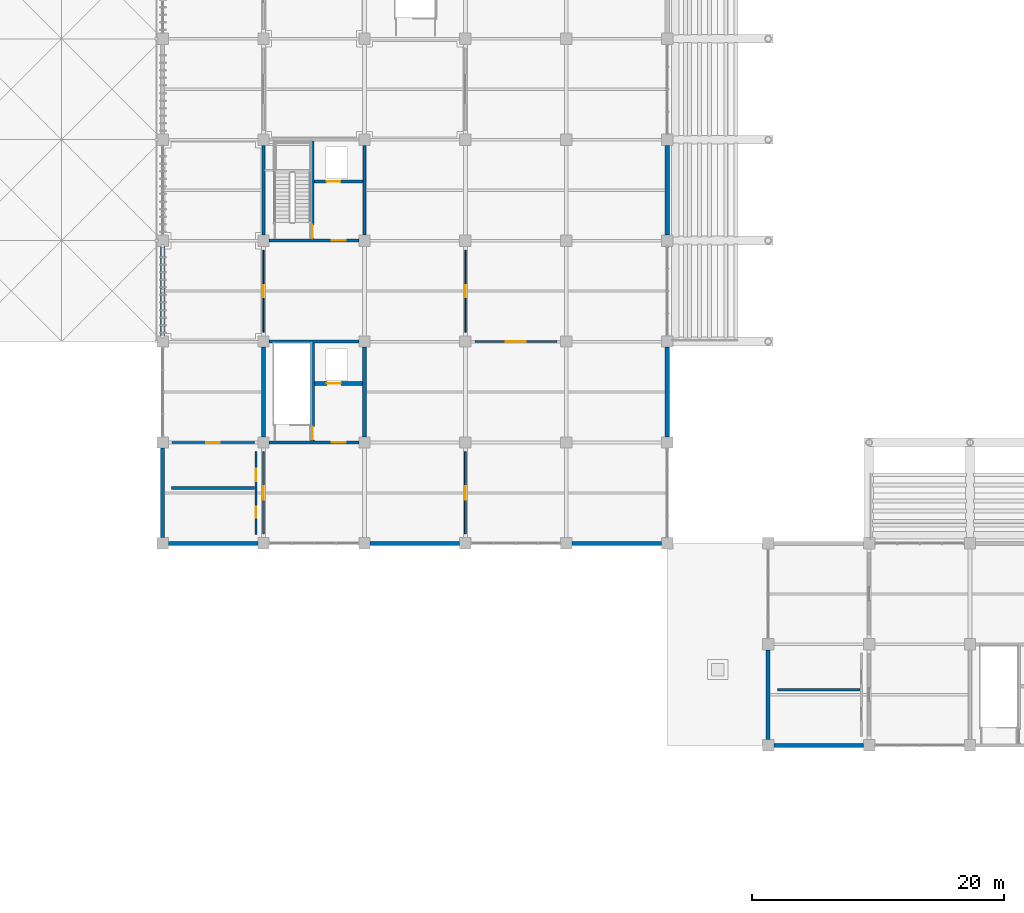
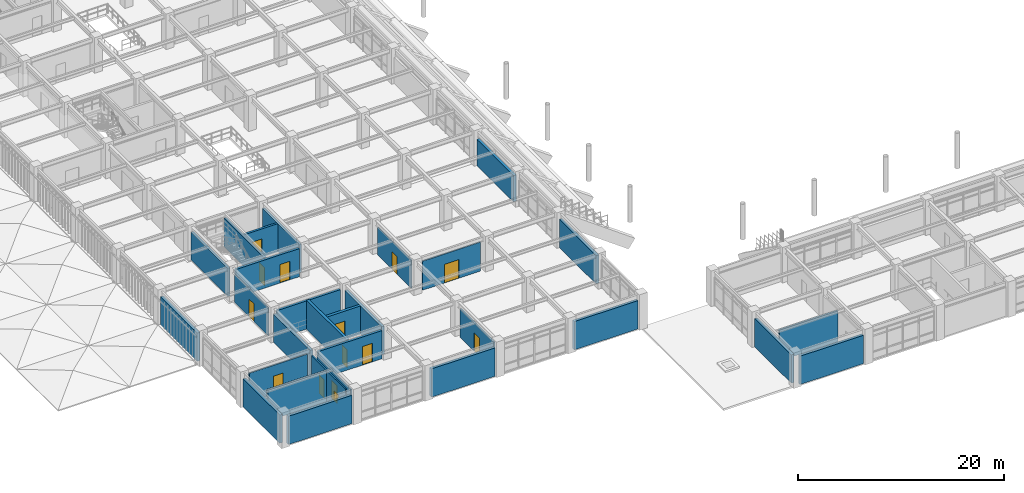
# One storey, part 86 of 118: 29 walls, 14 doors, 14 openings.
"""IFC4 building model written with IfcOpenShell, lengths in metres."""

from ifc_helpers import new_model, si_unit, direction, frame, frame_2d, origin, place, context, subcontext, project, spatial, rectangle, extrude, material, layer, layer_set, type_object, element, fill, save


model = new_model("IFC4")

# Units and contexts
model_context = context("Model", 3, precision=1e-05, world=origin(), true_north=direction((0.0, 1.0)))
body_context = subcontext(model_context, "Body", "Model", "MODEL_VIEW")
ifc_project = project(units=[si_unit("LENGTHUNIT", "METRE"), si_unit("AREAUNIT", "SQUARE_METRE"), si_unit("VOLUMEUNIT", "CUBIC_METRE"), si_unit("PLANEANGLEUNIT", "RADIAN"), si_unit("MASSUNIT", "GRAM", prefix="KILO")], contexts=[model_context])

# Site, building, storey
site_placement = place(None, origin())
site = spatial("IfcSite", under=ifc_project, at=site_placement, CompositionType="ELEMENT")
building_placement = place(site_placement, origin())
building = spatial("IfcBuilding", under=site, at=building_placement, Name="Haebicheon Civic Stadium", CompositionType="ELEMENT")
storey_placement = place(building_placement, frame((0.0, 0.0, 14.39990234375)))
storey = spatial("IfcBuildingStorey", under=building, at=storey_placement, Name="L04", CompositionType="ELEMENT", Elevation=14.39990234375)

# Wall, opening, door
ifc_material_1 = material(Name="Concrete C40/50", Category="concrete")
ifc_layer_1 = layer(ifc_material_1, 0.239990234375, Name="Concrete C40/50")
ifc_layer_set_1 = layer_set([ifc_layer_1], Name="Concrete C40/50")
wall_type_1 = type_object("IfcWallType", Name="CW-SHR-240", PredefinedType="SHEAR", material=ifc_layer_set_1)
wall_1_placement = place(storey_placement, frame((32.449951171875, 40.0, 0.0), z_axis=(0.0, 0.0, 1.0), x_axis=(1.0, 0.0, 0.0)))
wall_1 = element("IfcWall", 1, at=wall_1_placement, inside=storey, type_object=wall_type_1, material=ifc_layer_set_1, Name="KC-01 L04 south core shear wall", PredefinedType="SHEAR", context=body_context, shape_type="SweptSolid", body=[
    extrude(rectangle(XDim=7.10009765625, YDim=0.239990234375, at=frame_2d((3.550048828125, 0.0))), origin(), (0.0, 0.0, 1.0), 3.330078125),
])
opening_1_placement = place(wall_1_placement, frame((4.949951171875, 0.0, 0.0)))
opening_1 = element("IfcOpeningElement", 2, at=opening_1_placement, cuts=wall_1, Name="Opening D-L04-KC-01-LOB", PredefinedType="OPENING", context=body_context, shape_type="SweptSolid", body=[
    extrude(rectangle(XDim=1.10009765625, YDim=2.199951171875, at=frame_2d((0.550048828125, 1.10009765625))), frame((0.0, 0.1298828125, 0.0), z_axis=(0.0, -1.0, 0.0), x_axis=(1.0, 0.0, 0.0)), (0.0, 0.0, 1.0), 0.260009765625),
])
ifc_material_2 = material(Name="Galvanised painted steel SM355", Category="steel")
door_type_1 = type_object("IfcDoorType", Name="ID-FD-1100", OperationType="NOTDEFINED", PredefinedType="DOOR", material=ifc_material_2)
door_1_placement = place(opening_1_placement, origin())
door_1 = element("IfcDoor", 3, at=door_1_placement, inside=storey, type_object=door_type_1, material=ifc_material_2, Name="L04 KC-01 lobby fire door", OperationType="SINGLE_SWING_LEFT", OverallHeight=2.199951171875, OverallWidth=1.10009765625, PredefinedType="DOOR", context=body_context, shape_type="SweptSolid", body=[
    extrude(rectangle(XDim=1.10009765625, YDim=2.199951171875, at=frame_2d((0.550048828125, 1.10009765625))), frame((0.0, 0.02490234375, 0.0), z_axis=(0.0, -1.0, 0.0), x_axis=(1.0, 0.0, 0.0)), (0.0, 0.0, 1.0), 0.050048828125),
])
fill(opening_1, door_1)

# Wall
wall_2_placement = place(storey_placement, frame((32.449951171875, 48.0, 0.0), z_axis=(0.0, 0.0, 1.0), x_axis=(1.0, 0.0, 0.0)))
element("IfcWall", 4, at=wall_2_placement, inside=storey, type_object=wall_type_1, material=ifc_layer_set_1, Name="KC-01 L04 north core shear wall", PredefinedType="SHEAR", context=body_context, shape_type="SweptSolid", body=[
    extrude(rectangle(XDim=7.10009765625, YDim=0.239990234375, at=frame_2d((3.550048828125, 0.0))), origin(), (0.0, 0.0, 1.0), 3.330078125),
])

# Wall, opening, door
wall_3_placement = place(storey_placement, frame((32.449951171875, 56.0, 0.0), z_axis=(0.0, 0.0, 1.0), x_axis=(1.0, 0.0, 0.0)))
wall_3 = element("IfcWall", 5, at=wall_3_placement, inside=storey, type_object=wall_type_1, material=ifc_layer_set_1, Name="KC-02 L04 south core shear wall", PredefinedType="SHEAR", context=body_context, shape_type="SweptSolid", body=[
    extrude(rectangle(XDim=7.10009765625, YDim=0.239990234375, at=frame_2d((3.550048828125, 0.0))), origin(), (0.0, 0.0, 1.0), 3.330078125),
])
opening_2_placement = place(wall_3_placement, frame((4.949951171875, 0.0, 0.0)))
opening_2 = element("IfcOpeningElement", 6, at=opening_2_placement, cuts=wall_3, Name="Opening D-L04-KC-02-LOB", PredefinedType="OPENING", context=body_context, shape_type="SweptSolid", body=[
    extrude(rectangle(XDim=1.10009765625, YDim=2.199951171875, at=frame_2d((0.550048828125, 1.10009765625))), frame((0.0, 0.1298828125, 0.0), z_axis=(0.0, -1.0, 0.0), x_axis=(1.0, 0.0, 0.0)), (0.0, 0.0, 1.0), 0.260009765625),
])
door_2_placement = place(opening_2_placement, origin())
door_2 = element("IfcDoor", 7, at=door_2_placement, inside=storey, type_object=door_type_1, material=ifc_material_2, Name="L04 KC-02 lobby fire door", OperationType="SINGLE_SWING_RIGHT", OverallHeight=2.199951171875, OverallWidth=1.10009765625, PredefinedType="DOOR", context=body_context, shape_type="SweptSolid", body=[
    extrude(rectangle(XDim=1.10009765625, YDim=2.199951171875, at=frame_2d((0.550048828125, 1.10009765625))), frame((0.0, 0.02490234375, 0.0), z_axis=(0.0, -1.0, 0.0), x_axis=(1.0, 0.0, 0.0)), (0.0, 0.0, 1.0), 0.050048828125),
])
fill(opening_2, door_2)

# Walls
for number, where, z_axis, x_axis, name in (
    (8, (32.0, 56.449951171875, 0.0), (0.0, 0.0, 1.0), (0.0, 1.0, 0.0), "KC-02 L04 west core shear wall"),
    (9, (40.0, 56.449951171875, 0.0), (0.0, 0.0, 1.0), (0.0, 1.0, 0.0), "KC-02 L04 east core shear wall"),
):
    element("IfcWall", number, at=place(storey_placement, frame(where, z_axis=z_axis, x_axis=x_axis)), inside=storey, type_object=wall_type_1, material=ifc_layer_set_1, Name=name, PredefinedType="SHEAR", context=body_context, shape_type="SweptSolid", body=[
        extrude(rectangle(XDim=7.10009765625, YDim=0.239990234375, at=frame_2d((3.550048828125, 0.0))), origin(), (0.0, 0.0, 1.0), 3.330078125),
    ])

# Wall, opening, door
wall_4_placement = place(storey_placement, frame((35.8798828125, 56.1201171875, 0.0), z_axis=(0.0, 0.0, 1.0), x_axis=(0.0, 1.0, 0.0)))
wall_4 = element("IfcWall", 10, at=wall_4_placement, inside=storey, type_object=wall_type_1, material=ifc_layer_set_1, Name="KC-02 L04 stair-lobby dividing shear wall", PredefinedType="SHEAR", context=body_context, shape_type="SweptSolid", body=[
    extrude(rectangle(XDim=7.759765625, YDim=0.239990234375, at=frame_2d((3.8798828125, 0.0))), origin(), (0.0, 0.0, 1.0), 3.43017578125),
])
opening_3_placement = place(wall_4_placement, frame((0.080078125, 0.0, 0.0)))
opening_3 = element("IfcOpeningElement", 11, at=opening_3_placement, cuts=wall_4, Name="Opening D-L04-KC-02-STR", PredefinedType="OPENING", context=body_context, shape_type="SweptSolid", body=[
    extrude(rectangle(XDim=1.050048828125, YDim=2.14990234375, at=frame_2d((0.52490234375, 1.074951171875))), frame((0.0, 0.1298828125, 0.0), z_axis=(0.0, -1.0, 0.0), x_axis=(1.0, 0.0, 0.0)), (0.0, 0.0, 1.0), 0.260009765625),
])
ifc_material_3 = material(Name="Galvanised painted steel SM355", Category="steel")
door_type_2 = type_object("IfcDoorType", Name="ID-FD-1050", OperationType="NOTDEFINED", PredefinedType="DOOR", material=ifc_material_3)
door_3_placement = place(opening_3_placement, origin())
door_3 = element("IfcDoor", 12, at=door_3_placement, inside=storey, type_object=door_type_2, material=ifc_material_3, Name="L04 ST-02 stairwell escape door", OperationType="SINGLE_SWING_LEFT", OverallHeight=2.14990234375, OverallWidth=1.050048828125, PredefinedType="DOOR", context=body_context, shape_type="SweptSolid", body=[
    extrude(rectangle(XDim=1.050048828125, YDim=2.14990234375, at=frame_2d((0.52490234375, 1.074951171875))), frame((0.0, 0.02490234375, 0.0), z_axis=(0.0, -1.0, 0.0), x_axis=(1.0, 0.0, 0.0)), (0.0, 0.0, 1.0), 0.050048828125),
])
fill(opening_3, door_3)

wall_5_placement = place(storey_placement, frame((36.0, 60.679931640625, 0.0), z_axis=(0.0, 0.0, 1.0), x_axis=(1.0, 0.0, 0.0)))
wall_5 = element("IfcWall", 13, at=wall_5_placement, inside=storey, type_object=wall_type_1, material=ifc_layer_set_1, Name="KC-02 L04 lift shaft front wall", PredefinedType="SHEAR", context=body_context, shape_type="SweptSolid", body=[
    extrude(rectangle(XDim=3.8798828125, YDim=0.239990234375, at=frame_2d((1.93994140625, 0.0))), origin(), (0.0, 0.0, 1.0), 3.330078125),
])
opening_4_placement = place(wall_5_placement, frame((1.0, 0.0, 0.0)))
opening_4 = element("IfcOpeningElement", 14, at=opening_4_placement, cuts=wall_5, Name="Opening LD-02-L04", PredefinedType="OPENING", context=body_context, shape_type="SweptSolid", body=[
    extrude(rectangle(XDim=1.10009765625, YDim=2.14990234375, at=frame_2d((0.550048828125, 1.074951171875))), frame((0.0, 0.1298828125, 0.0), z_axis=(0.0, -1.0, 0.0), x_axis=(1.0, 0.0, 0.0)), (0.0, 0.0, 1.0), 0.260009765625),
])
ifc_material_4 = material(Name="Stainless steel 316", Category="steel")
door_type_3 = type_object("IfcDoorType", Name="ID-LD-1100", OperationType="NOTDEFINED", PredefinedType="DOOR", material=ifc_material_4)
door_4_placement = place(opening_4_placement, origin())
door_4 = element("IfcDoor", 15, at=door_4_placement, inside=storey, type_object=door_type_3, material=ifc_material_4, Name="LF-02 lift landing sliding door L04", OperationType="SLIDING_TO_LEFT", OverallHeight=2.14990234375, OverallWidth=1.10009765625, PredefinedType="DOOR", context=body_context, shape_type="SweptSolid", body=[
    extrude(rectangle(XDim=1.10009765625, YDim=2.14990234375, at=frame_2d((0.550048828125, 1.074951171875))), frame((0.0, 0.02490234375, 0.0), z_axis=(0.0, -1.0, 0.0), x_axis=(1.0, 0.0, 0.0)), (0.0, 0.0, 1.0), 0.050048828125),
])
fill(opening_4, door_4)

# Walls
ifc_material_5 = material(Name="Concrete C40/50", Category="concrete")
ifc_layer_2 = layer(ifc_material_5, 0.300048828125, Name="Concrete C40/50")
ifc_layer_set_2 = layer_set([ifc_layer_2], Name="Concrete C40/50")
wall_type_2 = type_object("IfcWallType", Name="CW-SHR-300", PredefinedType="SHEAR", material=ifc_layer_set_2)
for number, where, z_axis, x_axis, name in (
    (16, (32.0, 40.449951171875, 0.0), (0.0, 0.0, 1.0), (0.0, 1.0, 0.0), "KC-01 L04 west core shear wall"),
    (17, (40.0, 40.449951171875, 0.0), (0.0, 0.0, 1.0), (0.0, 1.0, 0.0), "KC-01 L04 east core shear wall"),
):
    element("IfcWall", number, at=place(storey_placement, frame(where, z_axis=z_axis, x_axis=x_axis)), inside=storey, type_object=wall_type_2, material=ifc_layer_set_2, Name=name, PredefinedType="SHEAR", context=body_context, shape_type="SweptSolid", body=[
        extrude(rectangle(XDim=7.10009765625, YDim=0.300048828125, at=frame_2d((3.550048828125, 0.0))), origin(), (0.0, 0.0, 1.0), 3.330078125),
    ])

# Wall, opening, door
wall_6_placement = place(storey_placement, frame((35.8798828125, 40.1201171875, 0.0), z_axis=(0.0, 0.0, 1.0), x_axis=(0.0, 1.0, 0.0)))
wall_6 = element("IfcWall", 18, at=wall_6_placement, inside=storey, type_object=wall_type_2, material=ifc_layer_set_2, Name="KC-01 L04 stair-lobby dividing shear wall", PredefinedType="SHEAR", context=body_context, shape_type="SweptSolid", body=[
    extrude(rectangle(XDim=7.759765625, YDim=0.300048828125, at=frame_2d((3.8798828125, 0.0))), origin(), (0.0, 0.0, 1.0), 3.43017578125),
])
opening_5_placement = place(wall_6_placement, frame((0.080078125, 0.0, 0.0)))
opening_5 = element("IfcOpeningElement", 19, at=opening_5_placement, cuts=wall_6, Name="Opening D-L04-KC-01-STR", PredefinedType="OPENING", context=body_context, shape_type="SweptSolid", body=[
    extrude(rectangle(XDim=1.050048828125, YDim=2.14990234375, at=frame_2d((0.52490234375, 1.074951171875))), frame((0.0, 0.159912109375, 0.0), z_axis=(0.0, -1.0, 0.0), x_axis=(1.0, 0.0, 0.0)), (0.0, 0.0, 1.0), 0.320068359375),
])
door_5_placement = place(opening_5_placement, origin())
door_5 = element("IfcDoor", 20, at=door_5_placement, inside=storey, type_object=door_type_2, material=ifc_material_3, Name="L04 ST-01 stairwell escape door", OperationType="SINGLE_SWING_RIGHT", OverallHeight=2.14990234375, OverallWidth=1.050048828125, PredefinedType="DOOR", context=body_context, shape_type="SweptSolid", body=[
    extrude(rectangle(XDim=1.050048828125, YDim=2.14990234375, at=frame_2d((0.52490234375, 1.074951171875))), frame((0.0, 0.02490234375, 0.0), z_axis=(0.0, -1.0, 0.0), x_axis=(1.0, 0.0, 0.0)), (0.0, 0.0, 1.0), 0.050048828125),
])
fill(opening_5, door_5)

wall_7_placement = place(storey_placement, frame((36.030029296875, 44.679931640625, 0.0), z_axis=(0.0, 0.0, 1.0), x_axis=(1.0, 0.0, 0.0)))
wall_7 = element("IfcWall", 21, at=wall_7_placement, inside=storey, type_object=wall_type_2, material=ifc_layer_set_2, Name="KC-01 L04 lift shaft front wall", PredefinedType="SHEAR", context=body_context, shape_type="SweptSolid", body=[
    extrude(rectangle(XDim=3.820068359375, YDim=0.300048828125, at=frame_2d((1.91015625, 0.0))), origin(), (0.0, 0.0, 1.0), 3.330078125),
])
opening_6_placement = place(wall_7_placement, frame((1.0, 0.0, 0.0)))
opening_6 = element("IfcOpeningElement", 22, at=opening_6_placement, cuts=wall_7, Name="Opening LD-01-L04", PredefinedType="OPENING", context=body_context, shape_type="SweptSolid", body=[
    extrude(rectangle(XDim=1.10009765625, YDim=2.14990234375, at=frame_2d((0.550048828125, 1.074951171875))), frame((0.0, 0.159912109375, 0.0), z_axis=(0.0, -1.0, 0.0), x_axis=(1.0, 0.0, 0.0)), (0.0, 0.0, 1.0), 0.320068359375),
])
door_6_placement = place(opening_6_placement, origin())
door_6 = element("IfcDoor", 23, at=door_6_placement, inside=storey, type_object=door_type_3, material=ifc_material_4, Name="LF-01 lift landing sliding door L04", OperationType="SLIDING_TO_LEFT", OverallHeight=2.14990234375, OverallWidth=1.10009765625, PredefinedType="DOOR", context=body_context, shape_type="SweptSolid", body=[
    extrude(rectangle(XDim=1.10009765625, YDim=2.14990234375, at=frame_2d((0.550048828125, 1.074951171875))), frame((0.0, 0.02490234375, 0.0), z_axis=(0.0, -1.0, 0.0), x_axis=(1.0, 0.0, 0.0)), (0.0, 0.0, 1.0), 0.050048828125),
])
fill(opening_6, door_6)

# Walls
ifc_material_6 = material(Name="Precast concrete C40/50", Category="concrete")
ifc_layer_3 = layer(ifc_material_6, 0.320068359375, Name="Precast concrete C40/50")
ifc_layer_set_3 = layer_set([ifc_layer_3], Name="Precast concrete C40/50")
wall_type_3 = type_object("IfcWallType", Name="EW-BM-320", PredefinedType="SOLIDWALL", material=ifc_layer_set_3)
wall_8_placement = place(storey_placement, frame((24.449951171875, 32.0, 0.0), z_axis=(0.0, 0.0, 1.0), x_axis=(1.0, 0.0, 0.0)))
element("IfcWall", 24, at=wall_8_placement, inside=storey, type_object=wall_type_3, material=ifc_layer_set_3, Name="L04 board-marked concrete facade wall 03-04-S", PredefinedType="SOLIDWALL", context=body_context, shape_type="SweptSolid", body=[
    extrude(rectangle(XDim=7.10009765625, YDim=0.320068359375, at=frame_2d((3.550048828125, 0.0))), origin(), (0.0, 0.0, 1.0), 3.35009765625),
])
for number, where, z_axis, x_axis, name in (
    (25, (24.0, 32.449951171875, 0.0), (0.0, 0.0, 1.0), (0.0, 1.0, 0.0), "L04 board-marked concrete facade wall 03-04-W"),
    (26, (24.0, 48.449951171875, 0.0), (0.0, 0.0, 1.0), (0.0, 1.0, 0.0), "L04 board-marked concrete facade wall 03-06-W"),
):
    element("IfcWall", number, at=place(storey_placement, frame(where, z_axis=z_axis, x_axis=x_axis)), inside=storey, type_object=wall_type_3, material=ifc_layer_set_3, Name=name, PredefinedType="SOLIDWALL", context=body_context, shape_type="SweptSolid", body=[
        extrude(rectangle(XDim=7.10009765625, YDim=0.320068359375, at=frame_2d((3.550048828125, 0.0))), origin(), (0.0, 0.0, 1.0), 3.330078125),
    ])
for number, where, z_axis, x_axis, name in (
    (27, (40.449951171875, 32.0, 0.0), (0.0, 0.0, 1.0), (1.0, 0.0, 0.0), "L04 board-marked concrete facade wall 05-04-S"),
    (28, (56.449951171875, 32.0, 0.0), (0.0, 0.0, 1.0), (1.0, 0.0, 0.0), "L04 board-marked concrete facade wall 07-04-S"),
):
    element("IfcWall", number, at=place(storey_placement, frame(where, z_axis=z_axis, x_axis=x_axis)), inside=storey, type_object=wall_type_3, material=ifc_layer_set_3, Name=name, PredefinedType="SOLIDWALL", context=body_context, shape_type="SweptSolid", body=[
        extrude(rectangle(XDim=7.10009765625, YDim=0.320068359375, at=frame_2d((3.550048828125, 0.0))), origin(), (0.0, 0.0, 1.0), 3.35009765625),
    ])
wall_9_placement = place(storey_placement, frame((64.0, 40.449951171875, 0.0), z_axis=(0.0, 0.0, 1.0), x_axis=(0.0, 1.0, 0.0)))
element("IfcWall", 29, at=wall_9_placement, inside=storey, type_object=wall_type_3, material=ifc_layer_set_3, Name="L04 board-marked concrete facade wall 08-05-E", PredefinedType="SOLIDWALL", context=body_context, shape_type="SweptSolid", body=[
    extrude(rectangle(XDim=7.10009765625, YDim=0.320068359375, at=frame_2d((3.550048828125, 0.0))), origin(), (0.0, 0.0, 1.0), 3.34619140625),
])
wall_10_placement = place(storey_placement, frame((64.0, 56.449951171875, 0.0), z_axis=(0.0, 0.0, 1.0), x_axis=(0.0, 1.0, 0.0)))
element("IfcWall", 30, at=wall_10_placement, inside=storey, type_object=wall_type_3, material=ifc_layer_set_3, Name="L04 board-marked concrete facade wall 08-07-E", PredefinedType="SOLIDWALL", context=body_context, shape_type="SweptSolid", body=[
    extrude(rectangle(XDim=7.10009765625, YDim=0.320068359375, at=frame_2d((3.550048828125, 0.0))), origin(), (0.0, 0.0, 1.0), 3.10009765625),
])
for number, where, z_axis, x_axis, name in (
    (31, (72.449951171875, 16.0, 0.0), (0.0, 0.0, 1.0), (1.0, 0.0, 0.0), "L04 board-marked concrete facade wall 09-02-S"),
    (32, (72.0, 16.449951171875, 0.0), (0.0, 0.0, 1.0), (0.0, 1.0, 0.0), "L04 board-marked concrete facade wall 09-02-W"),
):
    element("IfcWall", number, at=place(storey_placement, frame(where, z_axis=z_axis, x_axis=x_axis)), inside=storey, type_object=wall_type_3, material=ifc_layer_set_3, Name=name, PredefinedType="SOLIDWALL", context=body_context, shape_type="SweptSolid", body=[
        extrude(rectangle(XDim=7.10009765625, YDim=0.320068359375, at=frame_2d((3.550048828125, 0.0))), origin(), (0.0, 0.0, 1.0), 3.35009765625),
    ])
ifc_material_7 = material(Name="Concrete C35/45", Category="concrete")
ifc_layer_4 = layer(ifc_material_7, 0.219970703125, Name="Concrete C35/45")
ifc_layer_set_4 = layer_set([ifc_layer_4], Name="Concrete C35/45")
wall_type_4 = type_object("IfcWallType", Name="IW-PLB-220", PredefinedType="PLUMBINGWALL", material=ifc_layer_set_4)
for number, where, z_axis, x_axis, name in (
    (33, (24.719970703125, 36.39990234375, 0.0), (0.0, 0.0, 1.0), (1.0, 0.0, 0.0), "L04 sanitary plumbing chase wall 13"),
    (34, (72.719970703125, 20.39990234375, 0.0), (0.0, 0.0, 1.0), (1.0, 0.0, 0.0), "L04 sanitary plumbing chase wall 14"),
):
    element("IfcWall", number, at=place(storey_placement, frame(where, z_axis=z_axis, x_axis=x_axis)), inside=storey, type_object=wall_type_4, material=ifc_layer_set_4, Name=name, PredefinedType="PLUMBINGWALL", context=body_context, shape_type="SweptSolid", body=[
        extrude(rectangle(XDim=6.56005859375, YDim=0.219970703125, at=frame_2d((3.280029296875, 0.0))), origin(), (0.0, 0.0, 1.0), 3.6201171875),
    ])

# Wall, opening, door
ifc_material_8 = material(Name="Anodised aluminium and laminated glass", Category="aluminium")
ifc_layer_5 = layer(ifc_material_8, 0.10009765625, Name="Anodised aluminium and laminated glass")
ifc_layer_set_5 = layer_set([ifc_layer_5], Name="Anodised aluminium and laminated glass")
wall_type_5 = type_object("IfcWallType", Name="IW-PRT-100", PredefinedType="PARTITIONING", material=ifc_layer_set_5)
wall_11_placement = place(storey_placement, frame((32.0, 48.75, 0.0), z_axis=(0.0, 0.0, 1.0), x_axis=(0.0, 1.0, 0.0)))
wall_11 = element("IfcWall", 35, at=wall_11_placement, inside=storey, type_object=wall_type_5, material=ifc_layer_set_5, Name="L04 Presidential Hospitality Lounge partition wall", PredefinedType="PARTITIONING", context=body_context, shape_type="SweptSolid", body=[
    extrude(rectangle(XDim=6.5, YDim=0.10009765625, at=frame_2d((3.25, 0.0))), origin(), (0.0, 0.0, 1.0), 3.330078125),
])
opening_7_placement = place(wall_11_placement, frame((2.77490234375, 0.0, 0.0)))
opening_7 = element("IfcOpeningElement", 36, at=opening_7_placement, cuts=wall_11, Name="Opening D-L04-351", PredefinedType="OPENING", context=body_context, shape_type="SweptSolid", body=[
    extrude(rectangle(XDim=0.949951171875, YDim=2.10009765625, at=frame_2d((0.47509765625, 1.050048828125))), frame((0.0, 0.06005859375, 0.0), z_axis=(0.0, -1.0, 0.0), x_axis=(1.0, 0.0, 0.0)), (0.0, 0.0, 1.0), 0.1201171875),
])
ifc_material_9 = material(Name="Engineered hardwood timber", Category="wood")
door_type_4 = type_object("IfcDoorType", Name="ID-RM-0950", OperationType="NOTDEFINED", PredefinedType="DOOR", material=ifc_material_9)
door_7_placement = place(opening_7_placement, origin())
door_7 = element("IfcDoor", 37, at=door_7_placement, inside=storey, type_object=door_type_4, material=ifc_material_9, Name="L04 Presidential Hospitality Lounge entrance door D-L04-351", OperationType="SINGLE_SWING_LEFT", OverallHeight=2.10009765625, OverallWidth=0.949951171875, PredefinedType="DOOR", context=body_context, shape_type="SweptSolid", body=[
    extrude(rectangle(XDim=0.949951171875, YDim=2.10009765625, at=frame_2d((0.47509765625, 1.050048828125))), frame((0.0, 0.02490234375, 0.0), z_axis=(0.0, -1.0, 0.0), x_axis=(1.0, 0.0, 0.0)), (0.0, 0.0, 1.0), 0.050048828125),
])
fill(opening_7, door_7)

wall_12_placement = place(storey_placement, frame((48.0, 48.75, 0.0), z_axis=(0.0, 0.0, 1.0), x_axis=(0.0, 1.0, 0.0)))
wall_12 = element("IfcWall", 38, at=wall_12_placement, inside=storey, type_object=wall_type_5, material=ifc_layer_set_5, Name="L04 Presidential Hospitality Lounge partition wall", PredefinedType="PARTITIONING", context=body_context, shape_type="SweptSolid", body=[
    extrude(rectangle(XDim=6.5, YDim=0.10009765625, at=frame_2d((3.25, 0.0))), origin(), (0.0, 0.0, 1.0), 3.330078125),
])
opening_8_placement = place(wall_12_placement, frame((2.77490234375, 0.0, 0.0)))
opening_8 = element("IfcOpeningElement", 39, at=opening_8_placement, cuts=wall_12, Name="Opening D-L04-359", PredefinedType="OPENING", context=body_context, shape_type="SweptSolid", body=[
    extrude(rectangle(XDim=0.949951171875, YDim=2.10009765625, at=frame_2d((0.47509765625, 1.050048828125))), frame((0.0, 0.06005859375, 0.0), z_axis=(0.0, -1.0, 0.0), x_axis=(1.0, 0.0, 0.0)), (0.0, 0.0, 1.0), 0.1201171875),
])
door_8_placement = place(opening_8_placement, origin())
door_8 = element("IfcDoor", 40, at=door_8_placement, inside=storey, type_object=door_type_4, material=ifc_material_9, Name="L04 Presidential Hospitality Lounge entrance door D-L04-359", OperationType="SINGLE_SWING_LEFT", OverallHeight=2.10009765625, OverallWidth=0.949951171875, PredefinedType="DOOR", context=body_context, shape_type="SweptSolid", body=[
    extrude(rectangle(XDim=0.949951171875, YDim=2.10009765625, at=frame_2d((0.47509765625, 1.050048828125))), frame((0.0, 0.02490234375, 0.0), z_axis=(0.0, -1.0, 0.0), x_axis=(1.0, 0.0, 0.0)), (0.0, 0.0, 1.0), 0.050048828125),
])
fill(opening_8, door_8)

# Wall, openings, doors
ifc_material_10 = material(Name="Gypsum plasterboard on steel studs", Category="gypsum")
ifc_layer_6 = layer(ifc_material_10, 0.14990234375, Name="Gypsum plasterboard on steel studs")
ifc_layer_set_6 = layer_set([ifc_layer_6], Name="Gypsum plasterboard on steel studs")
wall_type_6 = type_object("IfcWallType", Name="IW-PRT-150", PredefinedType="PARTITIONING", material=ifc_layer_set_6)
wall_13_placement = place(storey_placement, frame((31.39990234375, 32.719970703125, 0.0), z_axis=(0.0, 0.0, 1.0), x_axis=(0.0, 1.0, 0.0)))
wall_13 = element("IfcWall", 41, at=wall_13_placement, inside=storey, type_object=wall_type_6, material=ifc_layer_set_6, Name="L04 sanitary enclosure front wall 13", PredefinedType="PARTITIONING", context=body_context, shape_type="SweptSolid", body=[
    extrude(rectangle(XDim=6.56005859375, YDim=0.14990234375, at=frame_2d((3.280029296875, 0.0))), origin(), (0.0, 0.0, 1.0), 3.6201171875),
])
opening_9_placement = place(wall_13_placement, frame((1.300048828125, 0.0, 0.0)))
opening_9 = element("IfcOpeningElement", 42, at=opening_9_placement, cuts=wall_13, Name="Opening D-L04-WC-13A", PredefinedType="OPENING", context=body_context, shape_type="SweptSolid", body=[
    extrude(rectangle(XDim=0.89990234375, YDim=2.10009765625, at=frame_2d((0.449951171875, 1.050048828125))), frame((0.0, 0.0849609375, 0.0), z_axis=(0.0, -1.0, 0.0), x_axis=(1.0, 0.0, 0.0)), (0.0, 0.0, 1.0), 0.169921875),
])
opening_10_placement = place(wall_13_placement, frame((4.199951171875, 0.0, 0.0)))
opening_10 = element("IfcOpeningElement", 43, at=opening_10_placement, cuts=wall_13, Name="Opening D-L04-AWC-13B", PredefinedType="OPENING", context=body_context, shape_type="SweptSolid", body=[
    extrude(rectangle(XDim=1.0, YDim=2.14990234375, at=frame_2d((0.5, 1.074951171875))), frame((0.0, 0.0849609375, 0.0), z_axis=(0.0, -1.0, 0.0), x_axis=(1.0, 0.0, 0.0)), (0.0, 0.0, 1.0), 0.169921875),
])
ifc_material_11 = material(Name="Anodised aluminium 6063-T6", Category="aluminium")
door_type_5 = type_object("IfcDoorType", Name="ID-AWC-1000", OperationType="NOTDEFINED", PredefinedType="DOOR", material=ifc_material_11)
door_9_placement = place(opening_10_placement, origin())
door_9 = element("IfcDoor", 44, at=door_9_placement, inside=storey, type_object=door_type_5, material=ifc_material_11, Name="L04 accessible WC door 13", OperationType="SINGLE_SWING_LEFT", OverallHeight=2.14990234375, OverallWidth=1.0, PredefinedType="DOOR", context=body_context, shape_type="SweptSolid", body=[
    extrude(rectangle(XDim=1.0, YDim=2.14990234375, at=frame_2d((0.5, 1.074951171875))), frame((0.0, 0.02490234375, 0.0), z_axis=(0.0, -1.0, 0.0), x_axis=(1.0, 0.0, 0.0)), (0.0, 0.0, 1.0), 0.050048828125),
])
fill(opening_10, door_9)
ifc_material_12 = material(Name="Anodised aluminium 6063-T6", Category="aluminium")
door_type_6 = type_object("IfcDoorType", Name="ID-WC-0900", OperationType="NOTDEFINED", PredefinedType="DOOR", material=ifc_material_12)
door_10_placement = place(opening_9_placement, origin())
door_10 = element("IfcDoor", 45, at=door_10_placement, inside=storey, type_object=door_type_6, material=ifc_material_12, Name="L04 public restroom door 13", OperationType="SINGLE_SWING_RIGHT", OverallHeight=2.10009765625, OverallWidth=0.89990234375, PredefinedType="DOOR", context=body_context, shape_type="SweptSolid", body=[
    extrude(rectangle(XDim=0.89990234375, YDim=2.10009765625, at=frame_2d((0.449951171875, 1.050048828125))), frame((0.0, 0.02490234375, 0.0), z_axis=(0.0, -1.0, 0.0), x_axis=(1.0, 0.0, 0.0)), (0.0, 0.0, 1.0), 0.050048828125),
])
fill(opening_9, door_10)

# Wall, opening, door
wall_14_placement = place(storey_placement, frame((24.75, 40.0, 0.0), z_axis=(0.0, 0.0, 1.0), x_axis=(1.0, 0.0, 0.0)))
wall_14 = element("IfcWall", 46, at=wall_14_placement, inside=storey, type_object=wall_type_6, material=ifc_layer_set_6, Name="L04 Hospitality Suite partition wall", PredefinedType="PARTITIONING", context=body_context, shape_type="SweptSolid", body=[
    extrude(rectangle(XDim=6.5, YDim=0.14990234375, at=frame_2d((3.25, 0.0))), origin(), (0.0, 0.0, 1.0), 3.43017578125),
])
opening_11_placement = place(wall_14_placement, frame((2.72509765625, 0.0, 0.0)))
opening_11 = element("IfcOpeningElement", 47, at=opening_11_placement, cuts=wall_14, Name="Opening D-L04-350", PredefinedType="OPENING", context=body_context, shape_type="SweptSolid", body=[
    extrude(rectangle(XDim=1.050048828125, YDim=2.14990234375, at=frame_2d((0.52490234375, 1.074951171875))), frame((0.0, 0.0849609375, 0.0), z_axis=(0.0, -1.0, 0.0), x_axis=(1.0, 0.0, 0.0)), (0.0, 0.0, 1.0), 0.169921875),
])
ifc_material_13 = material(Name="Engineered hardwood timber", Category="wood")
door_type_7 = type_object("IfcDoorType", Name="ID-RM-1050", OperationType="NOTDEFINED", PredefinedType="DOOR", material=ifc_material_13)
door_11_placement = place(opening_11_placement, origin())
door_11 = element("IfcDoor", 48, at=door_11_placement, inside=storey, type_object=door_type_7, material=ifc_material_13, Name="L04 Hospitality Suite entrance door D-L04-350", OperationType="SINGLE_SWING_RIGHT", OverallHeight=2.14990234375, OverallWidth=1.050048828125, PredefinedType="DOOR", context=body_context, shape_type="SweptSolid", body=[
    extrude(rectangle(XDim=1.050048828125, YDim=2.14990234375, at=frame_2d((0.52490234375, 1.074951171875))), frame((0.0, 0.02490234375, 0.0), z_axis=(0.0, -1.0, 0.0), x_axis=(1.0, 0.0, 0.0)), (0.0, 0.0, 1.0), 0.050048828125),
])
fill(opening_11, door_11)

wall_15_placement = place(storey_placement, frame((32.0, 32.75, 0.0), z_axis=(0.0, 0.0, 1.0), x_axis=(0.0, 1.0, 0.0)))
wall_15 = element("IfcWall", 49, at=wall_15_placement, inside=storey, type_object=wall_type_6, material=ifc_layer_set_6, Name="L04 Hospitality Suite partition wall", PredefinedType="PARTITIONING", context=body_context, shape_type="SweptSolid", body=[
    extrude(rectangle(XDim=6.5, YDim=0.14990234375, at=frame_2d((3.25, 0.0))), origin(), (0.0, 0.0, 1.0), 3.3701171875),
])
opening_12_placement = place(wall_15_placement, frame((2.72509765625, 0.0, 0.0)))
opening_12 = element("IfcOpeningElement", 50, at=opening_12_placement, cuts=wall_15, Name="Opening D-L04-358", PredefinedType="OPENING", context=body_context, shape_type="SweptSolid", body=[
    extrude(rectangle(XDim=1.050048828125, YDim=2.14990234375, at=frame_2d((0.52490234375, 1.074951171875))), frame((0.0, 0.0849609375, 0.0), z_axis=(0.0, -1.0, 0.0), x_axis=(1.0, 0.0, 0.0)), (0.0, 0.0, 1.0), 0.169921875),
])
door_12_placement = place(opening_12_placement, origin())
door_12 = element("IfcDoor", 51, at=door_12_placement, inside=storey, type_object=door_type_7, material=ifc_material_13, Name="L04 Hospitality Suite entrance door D-L04-358", OperationType="SINGLE_SWING_RIGHT", OverallHeight=2.14990234375, OverallWidth=1.050048828125, PredefinedType="DOOR", context=body_context, shape_type="SweptSolid", body=[
    extrude(rectangle(XDim=1.050048828125, YDim=2.14990234375, at=frame_2d((0.52490234375, 1.074951171875))), frame((0.0, 0.02490234375, 0.0), z_axis=(0.0, -1.0, 0.0), x_axis=(1.0, 0.0, 0.0)), (0.0, 0.0, 1.0), 0.050048828125),
])
fill(opening_12, door_12)

wall_16_placement = place(storey_placement, frame((48.0, 32.75, 0.0), z_axis=(0.0, 0.0, 1.0), x_axis=(0.0, 1.0, 0.0)))
wall_16 = element("IfcWall", 52, at=wall_16_placement, inside=storey, type_object=wall_type_6, material=ifc_layer_set_6, Name="L04 Hospitality Suite partition wall", PredefinedType="PARTITIONING", context=body_context, shape_type="SweptSolid", body=[
    extrude(rectangle(XDim=6.5, YDim=0.14990234375, at=frame_2d((3.25, 0.0))), origin(), (0.0, 0.0, 1.0), 3.3701171875),
])
opening_13_placement = place(wall_16_placement, frame((2.72509765625, 0.0, 0.0)))
opening_13 = element("IfcOpeningElement", 53, at=opening_13_placement, cuts=wall_16, Name="Opening D-L04-367", PredefinedType="OPENING", context=body_context, shape_type="SweptSolid", body=[
    extrude(rectangle(XDim=1.050048828125, YDim=2.14990234375, at=frame_2d((0.52490234375, 1.074951171875))), frame((0.0, 0.0849609375, 0.0), z_axis=(0.0, -1.0, 0.0), x_axis=(1.0, 0.0, 0.0)), (0.0, 0.0, 1.0), 0.169921875),
])
door_13_placement = place(opening_13_placement, origin())
door_13 = element("IfcDoor", 54, at=door_13_placement, inside=storey, type_object=door_type_7, material=ifc_material_13, Name="L04 Hospitality Suite entrance door D-L04-367", OperationType="SINGLE_SWING_RIGHT", OverallHeight=2.14990234375, OverallWidth=1.050048828125, PredefinedType="DOOR", context=body_context, shape_type="SweptSolid", body=[
    extrude(rectangle(XDim=1.050048828125, YDim=2.14990234375, at=frame_2d((0.52490234375, 1.074951171875))), frame((0.0, 0.02490234375, 0.0), z_axis=(0.0, -1.0, 0.0), x_axis=(1.0, 0.0, 0.0)), (0.0, 0.0, 1.0), 0.050048828125),
])
fill(opening_13, door_13)

wall_17_placement = place(storey_placement, frame((48.75, 48.0, 0.0), z_axis=(0.0, 0.0, 1.0), x_axis=(1.0, 0.0, 0.0)))
wall_17 = element("IfcWall", 55, at=wall_17_placement, inside=storey, type_object=wall_type_6, material=ifc_layer_set_6, Name="L04 Presidential Hospitality Lounge partition wall", PredefinedType="PARTITIONING", context=body_context, shape_type="SweptSolid", body=[
    extrude(rectangle(XDim=6.5, YDim=0.14990234375, at=frame_2d((3.25, 0.0))), origin(), (0.0, 0.0, 1.0), 3.43017578125),
])
opening_14_placement = place(wall_17_placement, frame((2.449951171875, 0.0, 0.0)))
opening_14 = element("IfcOpeningElement", 56, at=opening_14_placement, cuts=wall_17, Name="Opening D-L04-368", PredefinedType="OPENING", context=body_context, shape_type="SweptSolid", body=[
    extrude(rectangle(XDim=1.60009765625, YDim=2.199951171875, at=frame_2d((0.800048828125, 1.10009765625))), frame((0.0, 0.0849609375, 0.0), z_axis=(0.0, -1.0, 0.0), x_axis=(1.0, 0.0, 0.0)), (0.0, 0.0, 1.0), 0.169921875),
])
ifc_material_14 = material(Name="Anodised aluminium and laminated glass", Category="aluminium")
door_type_8 = type_object("IfcDoorType", Name="ID-DBL-1600", OperationType="NOTDEFINED", PredefinedType="DOOR", material=ifc_material_14)
door_14_placement = place(opening_14_placement, origin())
door_14 = element("IfcDoor", 57, at=door_14_placement, inside=storey, type_object=door_type_8, material=ifc_material_14, Name="L04 Presidential Hospitality Lounge entrance door D-L04-368", OperationType="DOUBLE_SWING_LEFT", OverallHeight=2.199951171875, OverallWidth=1.60009765625, PredefinedType="DOOR", context=body_context, shape_type="SweptSolid", body=[
    extrude(rectangle(XDim=1.60009765625, YDim=2.199951171875, at=frame_2d((0.800048828125, 1.10009765625))), frame((0.0, 0.02490234375, 0.0), z_axis=(0.0, -1.0, 0.0), x_axis=(1.0, 0.0, 0.0)), (0.0, 0.0, 1.0), 0.050048828125),
])
fill(opening_14, door_14)

save(model, "model.ifc")
